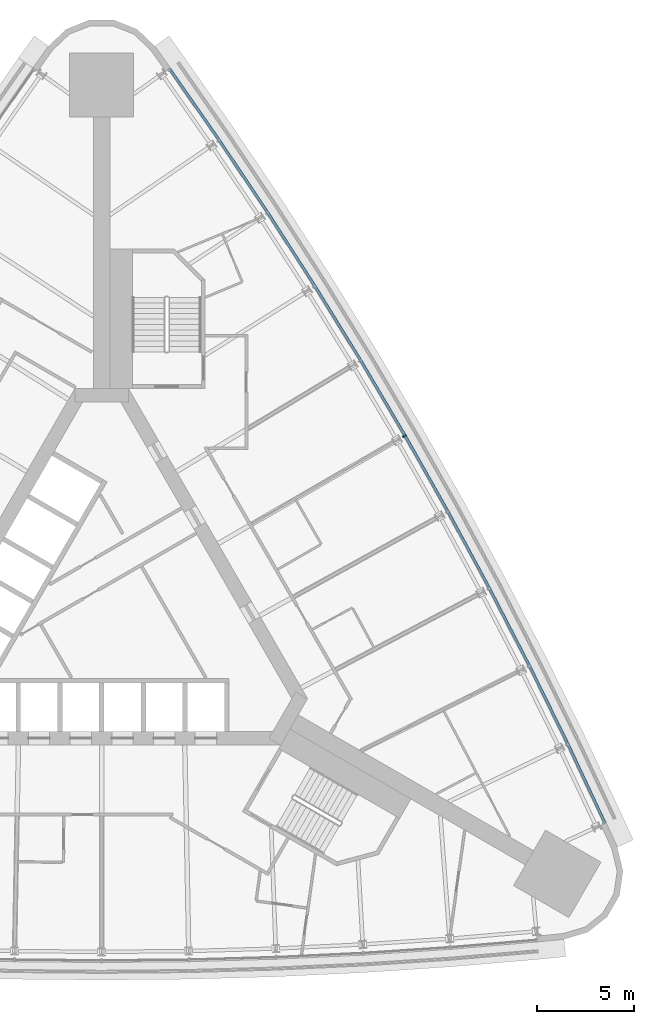
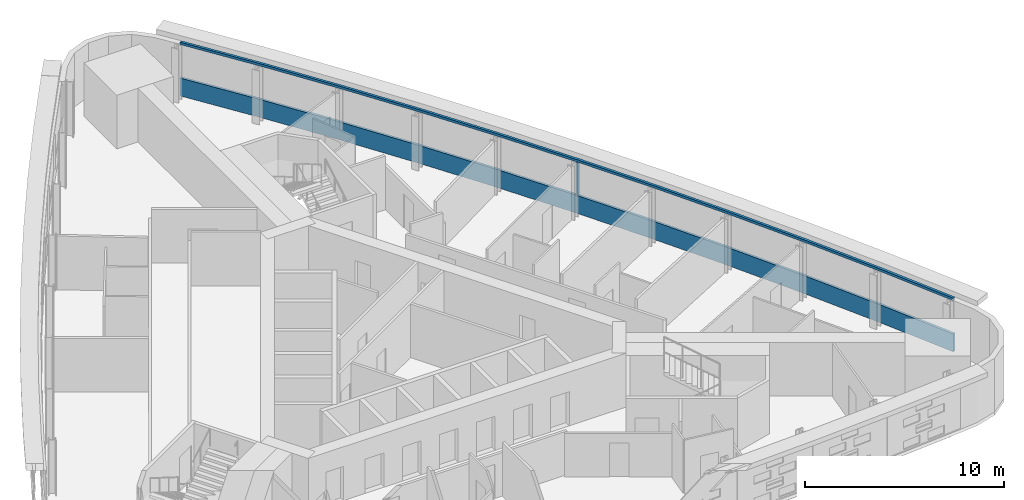
# One storey, part 7 of 15: 3 members, 1 element without a shape of its own.
"""IFC4 building model written with IfcOpenShell, lengths in metres."""

from ifc_helpers import new_model, si_unit, direction, frame, origin, origin_2d, place, context, subcontext, project, spatial, polyline, rectangle, outline, extrude, material, material_profile, profile_set, type_object, element, aggregate, save


model = new_model("IFC4")

# Units and contexts
model_context = context("Model", 3, precision=1e-05, world=origin(), true_north=direction((0.0, 1.0)))
body_context = subcontext(model_context, "Body", "Model", "MODEL_VIEW")
ifc_project = project(units=[si_unit("LENGTHUNIT", "METRE"), si_unit("AREAUNIT", "SQUARE_METRE"), si_unit("VOLUMEUNIT", "CUBIC_METRE"), si_unit("PLANEANGLEUNIT", "RADIAN"), si_unit("MASSUNIT", "GRAM", prefix="KILO")], contexts=[model_context])

# Site, building, storey
site_placement = place(None, origin())
site = spatial("IfcSite", under=ifc_project, at=site_placement, CompositionType="ELEMENT")
building_placement = place(site_placement, origin())
building = spatial("IfcBuilding", under=site, at=building_placement, Name="Noor Cloister Tower", CompositionType="ELEMENT")
storey_placement = place(building_placement, frame((0.0, 0.0, 49.199951171875)))
storey = spatial("IfcBuildingStorey", under=building, at=storey_placement, Name="L12", CompositionType="ELEMENT", Elevation=49.199951171875)

# Curtain wall, members
ifc_material_1 = material(Name="Aluminium 6063-T6 anodised", Category="aluminium")
curtain_wall_type = type_object("IfcCurtainWallType", Name="Ribbon curtain wall, lower tower CW1", PredefinedType="NOTDEFINED", material=ifc_material_1)
curtain_wall_placement = place(storey_placement, origin())
curtain_wall = element("IfcCurtainWall", 1, at=curtain_wall_placement, inside=storey, type_object=curtain_wall_type, Name="CW1 L12 NE run 3", PredefinedType="NOTDEFINED")
ifc_material_2 = material(Name="Aluminium 6063-T6 anodised", Category="aluminium")
member_type_1 = type_object("IfcMemberType", Name="Head transom CW1 150", PredefinedType="USERDEFINED", material=ifc_material_2)
member_1_placement = place(storey_placement, frame((0.0, 0.0, 3.150146484375)))
member_1 = element("IfcMember", 2, at=member_1_placement, type_object=member_type_1, Name="CW1 head transom", ObjectType="TRANSOM", PredefinedType="USERDEFINED", context=body_context, shape_type="SweptSolid", body=[
    extrude(outline(polyline([(26.014404296875, -10.922607421875), (24.10400390625, -6.848388671875), (22.11669921875, -2.81103515625), (20.053466796875, 1.18798828125), (17.9150390625, 5.1474609375), (15.7021484375, 9.065673828125), (13.415283203125, 12.941162109375), (11.0556640625, 16.77294921875), (8.6240234375, 20.55908203125), (6.12109375, 24.298828125), (3.548095703125, 27.990478515625), (3.43310546875, 27.910400390625), (6.005615234375, 24.219970703125), (8.5068359375, 20.482421875), (10.937255859375, 16.6982421875), (13.29541015625, 12.868896484375), (15.580810546875, 8.99560546875), (17.79248046875, 5.079833984375), (19.9296875, 1.122802734375), (21.99169921875, -2.8740234375), (23.977783203125, -6.908935546875), (25.8876953125, -10.98193359375), (26.014404296875, -10.922607421875)])), origin(), (0.0, 0.0, 1.0), 0.14990234375),
])
ifc_material_3 = material(Name="Aluminium 6063-T6 anodised", Category="aluminium")
ifc_material_profile = material_profile(ifc_material_3, rectangle(XDim=0.199951171875, YDim=0.080078125, at=origin_2d()), Name="200 x 80 mullion")
ifc_profile_set = profile_set([ifc_material_profile], Name="Aluminium 6063-T6 anodised")
member_type_2 = type_object("IfcMemberType", Name="Mullion CW1 80 x 200", PredefinedType="MULLION", material=ifc_profile_set)
member_2_placement = place(storey_placement, frame((15.615478515625, 9.015625, 1.10009765625), z_axis=(0.0, 0.0, 1.0), x_axis=(-0.866025403784, -0.5, 0.0)))
member_2 = element("IfcMember", 3, at=member_2_placement, type_object=member_type_2, Name="CW1 mullion 6", PredefinedType="MULLION", context=body_context, shape_type="SweptSolid", body=[
    extrude(rectangle(XDim=0.199951171875, YDim=0.080078125, at=origin_2d()), origin(), (0.0, 0.0, 1.0), 2.050048828125),
])
ifc_material_4 = material(Name="Aluminium 6063-T6 anodised", Category="aluminium")
member_type_3 = type_object("IfcMemberType", Name="Sill transom CW1 1100", PredefinedType="USERDEFINED", material=ifc_material_4)
member_3_placement = place(storey_placement, origin())
member_3 = element("IfcMember", 4, at=member_3_placement, type_object=member_type_3, Name="CW1 sill transom", ObjectType="TRANSOM", PredefinedType="USERDEFINED", context=body_context, shape_type="SweptSolid", body=[
    extrude(outline(polyline([(26.014404296875, -10.922607421875), (24.10400390625, -6.848388671875), (22.11669921875, -2.81103515625), (20.053466796875, 1.18798828125), (17.9150390625, 5.1474609375), (15.7021484375, 9.065673828125), (13.415283203125, 12.941162109375), (11.0556640625, 16.77294921875), (8.6240234375, 20.55908203125), (6.12109375, 24.298828125), (3.548095703125, 27.990478515625), (3.43310546875, 27.910400390625), (6.005615234375, 24.219970703125), (8.5068359375, 20.482421875), (10.937255859375, 16.6982421875), (13.29541015625, 12.868896484375), (15.580810546875, 8.99560546875), (17.79248046875, 5.079833984375), (19.9296875, 1.122802734375), (21.99169921875, -2.8740234375), (23.977783203125, -6.908935546875), (25.8876953125, -10.98193359375), (26.014404296875, -10.922607421875)])), origin(), (0.0, 0.0, 1.0), 1.10009765625),
])
aggregate(curtain_wall, [member_2, member_3, member_1])

save(model, "model.ifc")
